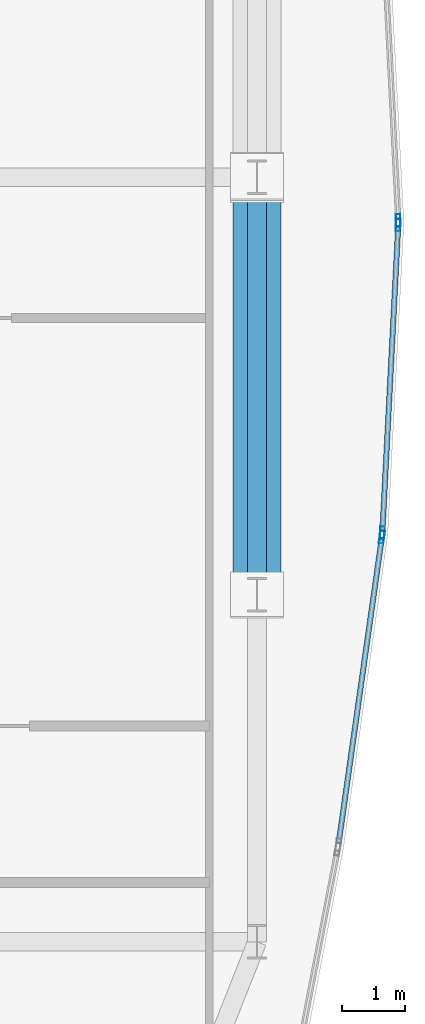
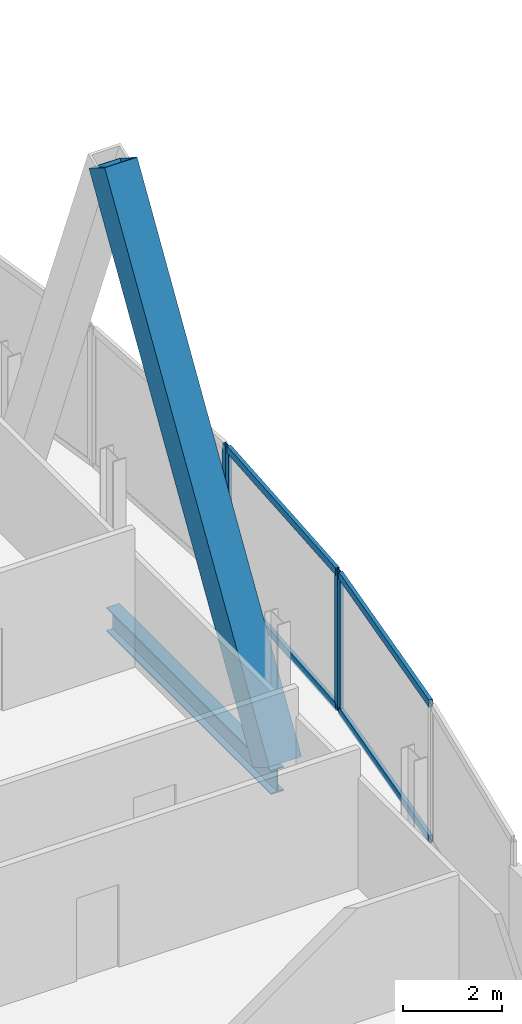
# One storey, part 22 of 33: 9 members, 1 beam, 3 elements without a shape of their own.
"""IFC4 building model written with IfcOpenShell, lengths in metres."""

from ifc_helpers import new_model, si_unit, direction, frame, origin, origin_2d, place, context, subcontext, project, spatial, hollow_rectangle, i_section, extrude, material, material_profile, profile_set, type_object, element, aggregate, save


model = new_model("IFC4")

# Units and contexts
model_context = context("Model", 3, precision=1e-05, world=origin(), true_north=direction((0.0, 1.0)))
body_context = subcontext(model_context, "Body", "Model", "MODEL_VIEW")
ifc_project = project(units=[si_unit("LENGTHUNIT", "METRE"), si_unit("AREAUNIT", "SQUARE_METRE"), si_unit("VOLUMEUNIT", "CUBIC_METRE"), si_unit("PLANEANGLEUNIT", "RADIAN"), si_unit("MASSUNIT", "GRAM", prefix="KILO")], contexts=[model_context])

# Site, building, storey
site_placement = place(None, origin())
site = spatial("IfcSite", under=ifc_project, at=site_placement, CompositionType="ELEMENT")
building_placement = place(site_placement, origin())
building = spatial("IfcBuilding", under=site, at=building_placement, Name="Khoronbel Lancet Exchange", CompositionType="ELEMENT")
storey_placement = place(building_placement, frame((0.0, 0.0, 118.199951171875)))
storey = spatial("IfcBuildingStorey", under=building, at=storey_placement, Name="L28", CompositionType="ELEMENT", Elevation=118.199951171875)

# Beam
ifc_material_1 = material(Name="Steel S355", Category="steel")
ifc_material_profile_1 = material_profile(ifc_material_1, i_section(OverallWidth=0.300048828125, OverallDepth=0.60009765625, WebThickness=0.015380859375, FlangeThickness=0.030029296875, at=origin_2d()), Name="HEB 600")
ifc_profile_set_1 = profile_set([ifc_material_profile_1], Name="Steel S355")
beam_type = type_object("IfcBeamType", Name="BM-BSP2", PredefinedType="SPANDREL", material=ifc_profile_set_1)
beam_placement = place(storey_placement, frame((69.6298828125, 24.75, -0.4599609375), z_axis=(0.0, 1.0, 0.0), x_axis=(-1.0, 0.0, 0.0)))
element("IfcBeam", 1, at=beam_placement, inside=storey, type_object=beam_type, Name="Level L28 perimeter spandrel beam SP12", PredefinedType="SPANDREL", context=body_context, shape_type="SweptSolid", body=[
    extrude(i_section(OverallWidth=0.300048828125, OverallDepth=0.60009765625, WebThickness=0.015380859375, FlangeThickness=0.030029296875, at=origin_2d()), origin(), (0.0, 0.0, 1.0), 6.675048828125),
])

# Curtain wall, member
ifc_material_2 = material(Name="Low-E Solar Control Insulating Glass", Category="glass")
curtain_wall_type = type_object("IfcCurtainWallType", Name="CW-4", PredefinedType="NOTDEFINED", material=ifc_material_2)
curtain_wall_1_placement = place(storey_placement, origin())
curtain_wall_1 = element("IfcCurtainWall", 2, at=curtain_wall_1_placement, inside=storey, type_object=curtain_wall_type, Name="Unitised curtain wall CW-L28-E19", PredefinedType="NOTDEFINED")
ifc_material_3 = material(Name="Bronze-Anodised Aluminium 6063-T6", Category="aluminium")
ifc_material_profile_2 = material_profile(ifc_material_3, hollow_rectangle(XDim=0.074951171875, YDim=0.199951171875, WallThickness=0.0048828125, at=origin_2d()), Name="ALU MULLION 75x200")
ifc_profile_set_2 = profile_set([ifc_material_profile_2], Name="Bronze-Anodised Aluminium 6063-T6")
member_type_1 = type_object("IfcMemberType", Name="MEM-CWM2", PredefinedType="MULLION", material=ifc_profile_set_2)
member_1_placement = place(storey_placement, frame((71.888427734375, 30.737548828125, 0.0), z_axis=(0.0, 0.0, 1.0), x_axis=(0.998664735798, 0.051659901994, 0.0)))
member_1 = element("IfcMember", 3, at=member_1_placement, type_object=member_type_1, Name="CW4 mullion 2", PredefinedType="MULLION", context=body_context, shape_type="SweptSolid", body=[
    extrude(hollow_rectangle(XDim=0.074951171875, YDim=0.199951171875, WallThickness=0.0048828125, at=origin_2d()), origin(), (0.0, 0.0, 1.0), 3.43994140625),
])
aggregate(curtain_wall_1, [member_1])

# Curtain wall, members
curtain_wall_2_placement = place(storey_placement, origin())
curtain_wall_2 = element("IfcCurtainWall", 4, at=curtain_wall_2_placement, inside=storey, type_object=curtain_wall_type, Name="Unitised curtain wall CW-L28-E20", PredefinedType="NOTDEFINED")
member_2_placement = place(storey_placement, frame((71.888427734375, 30.66259765625, 0.0), z_axis=(0.0, 0.0, 1.0), x_axis=(0.998664735798, -0.051659901994, 0.0)))
member_2 = element("IfcMember", 5, at=member_2_placement, type_object=member_type_1, Name="CW4 mullion 1", PredefinedType="MULLION", context=body_context, shape_type="SweptSolid", body=[
    extrude(hollow_rectangle(XDim=0.074951171875, YDim=0.199951171875, WallThickness=0.0048828125, at=origin_2d()), origin(), (0.0, 0.0, 1.0), 3.43994140625),
])
member_3_placement = place(storey_placement, frame((71.634033203125, 25.74609375, 0.0), z_axis=(0.0, 0.0, 1.0), x_axis=(0.998664735798, -0.051659901994, 0.0)))
member_3 = element("IfcMember", 6, at=member_3_placement, type_object=member_type_1, Name="CW4 mullion 2", PredefinedType="MULLION", context=body_context, shape_type="SweptSolid", body=[
    extrude(hollow_rectangle(XDim=0.074951171875, YDim=0.199951171875, WallThickness=0.0048828125, at=origin_2d()), origin(), (0.0, 0.0, 1.0), 3.43994140625),
])

# Curtain wall, member
curtain_wall_3_placement = place(storey_placement, origin())
curtain_wall_3 = element("IfcCurtainWall", 7, at=curtain_wall_3_placement, inside=storey, type_object=curtain_wall_type, Name="Unitised curtain wall CW-L28-E21", PredefinedType="NOTDEFINED")
member_4_placement = place(storey_placement, frame((71.626953125, 25.67138671875, 0.0), z_axis=(0.0, 0.0, 1.0), x_axis=(0.990162106971, -0.139924986756, 0.0)))
member_4 = element("IfcMember", 8, at=member_4_placement, type_object=member_type_1, Name="CW4 mullion 1", PredefinedType="MULLION", context=body_context, shape_type="SweptSolid", body=[
    extrude(hollow_rectangle(XDim=0.074951171875, YDim=0.199951171875, WallThickness=0.0048828125, at=origin_2d()), origin(), (0.0, 0.0, 1.0), 3.43994140625),
])

# Member
ifc_material_profile_3 = material_profile(ifc_material_3, hollow_rectangle(XDim=0.0849609375, YDim=0.179931640625, WallThickness=0.0048828125, at=origin_2d()), Name="ALU TRANSOM 85x180")
ifc_profile_set_3 = profile_set([ifc_material_profile_3], Name="Bronze-Anodised Aluminium 6063-T6")
member_type_2 = type_object("IfcMemberType", Name="MEM-CWT1", PredefinedType="USERDEFINED", material=ifc_profile_set_3)
member_5_placement = place(storey_placement, frame((71.886474609375, 30.625, 0.04248046875), z_axis=(-0.051668074487, -0.99866431301, 0.0), x_axis=(0.99866431301, -0.051668074487, 0.0)))
member_5 = element("IfcMember", 9, at=member_5_placement, type_object=member_type_2, Name="CW4 transom 1.1", ObjectType="TRANSOM", PredefinedType="USERDEFINED", context=body_context, shape_type="SweptSolid", body=[
    extrude(hollow_rectangle(XDim=0.0849609375, YDim=0.179931640625, WallThickness=0.0048828125, at=origin_2d()), origin(), (0.0, 0.0, 1.0), 4.84814453125),
])

member_6_placement = place(storey_placement, frame((71.886474609375, 30.625, 3.3974609375), z_axis=(-0.051668074487, -0.99866431301, 0.0), x_axis=(0.99866431301, -0.051668074487, 0.0)))
member_6 = element("IfcMember", 10, at=member_6_placement, type_object=member_type_2, Name="CW4 transom 1.2", ObjectType="TRANSOM", PredefinedType="USERDEFINED", context=body_context, shape_type="SweptSolid", body=[
    extrude(hollow_rectangle(XDim=0.0849609375, YDim=0.179931640625, WallThickness=0.0048828125, at=origin_2d()), origin(), (0.0, 0.0, 1.0), 4.84814453125),
])

aggregate(curtain_wall_2, [member_2, member_3, member_5, member_6])

member_7_placement = place(storey_placement, frame((71.62158203125, 25.63427734375, 0.04248046875), z_axis=(-0.139898470915, -0.990165853701, 0.0), x_axis=(0.990165853701, -0.139898470915, 0.0)))
member_7 = element("IfcMember", 11, at=member_7_placement, type_object=member_type_2, Name="CW4 transom 1.1", ObjectType="TRANSOM", PredefinedType="USERDEFINED", context=body_context, shape_type="SweptSolid", body=[
    extrude(hollow_rectangle(XDim=0.0849609375, YDim=0.179931640625, WallThickness=0.0048828125, at=origin_2d()), origin(), (0.0, 0.0, 1.0), 4.893310546875),
])

member_8_placement = place(storey_placement, frame((71.62158203125, 25.63427734375, 3.3974609375), z_axis=(-0.139898470915, -0.990165853701, 0.0), x_axis=(0.990165853701, -0.139898470915, 0.0)))
member_8 = element("IfcMember", 12, at=member_8_placement, type_object=member_type_2, Name="CW4 transom 1.2", ObjectType="TRANSOM", PredefinedType="USERDEFINED", context=body_context, shape_type="SweptSolid", body=[
    extrude(hollow_rectangle(XDim=0.0849609375, YDim=0.179931640625, WallThickness=0.0048828125, at=origin_2d()), origin(), (0.0, 0.0, 1.0), 4.893310546875),
])

aggregate(curtain_wall_3, [member_4, member_7, member_8])

ifc_material_4 = material(Name="Steel S460", Category="steel")
ifc_material_profile_4 = material_profile(ifc_material_4, hollow_rectangle(XDim=0.760009765625, YDim=0.760009765625, WallThickness=0.054931640625, at=origin_2d()), Name="BOX 760x760x55")
ifc_profile_set_4 = profile_set([ifc_material_profile_4], Name="Steel S460")
member_type_3 = type_object("IfcMemberType", Name="MEM-MB1", PredefinedType="BRACE", material=ifc_profile_set_4)
member_9_placement = place(storey_placement, frame((69.6298828125, 24.75, 0.0), z_axis=(0.0, 0.525745449971, 0.850641946906), x_axis=(-1.0, 0.0, 0.0)))
element("IfcMember", 13, at=member_9_placement, inside=storey, type_object=member_type_3, Name="Perimeter lancet brace tier 9 E-P-L", PredefinedType="BRACE", context=body_context, shape_type="SweptSolid", body=[
    extrude(hollow_rectangle(XDim=0.760009765625, YDim=0.760009765625, WallThickness=0.054931640625, at=origin_2d()), origin(), (0.0, 0.0, 1.0), 12.6962890625),
])

save(model, "model.ifc")
